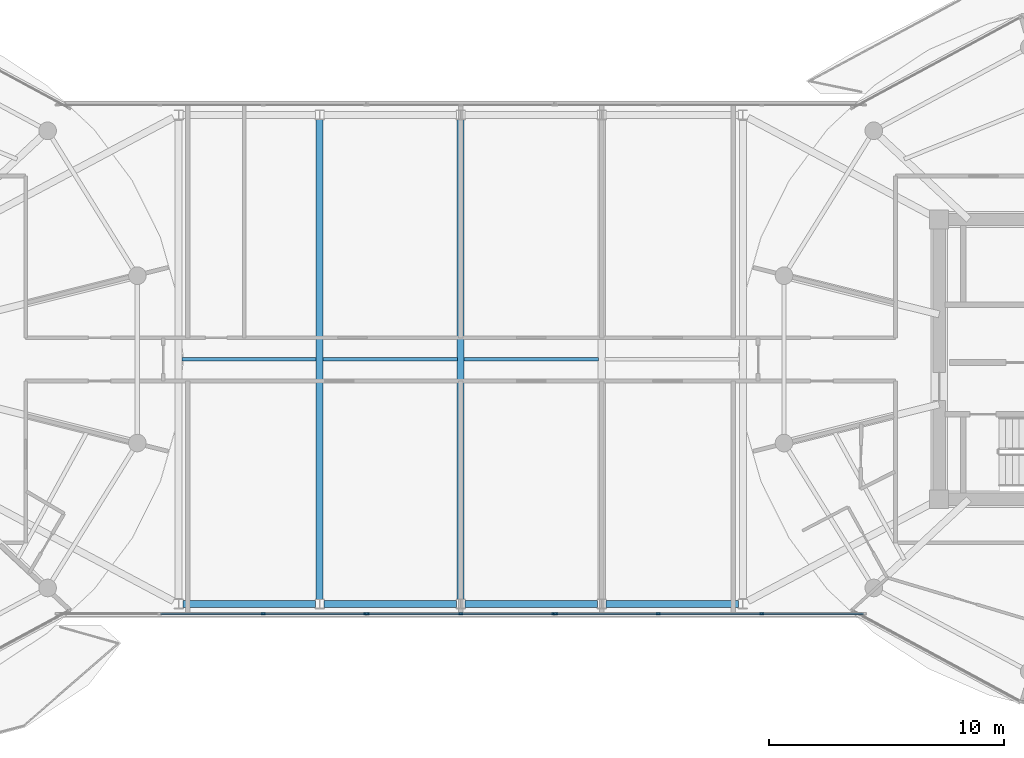
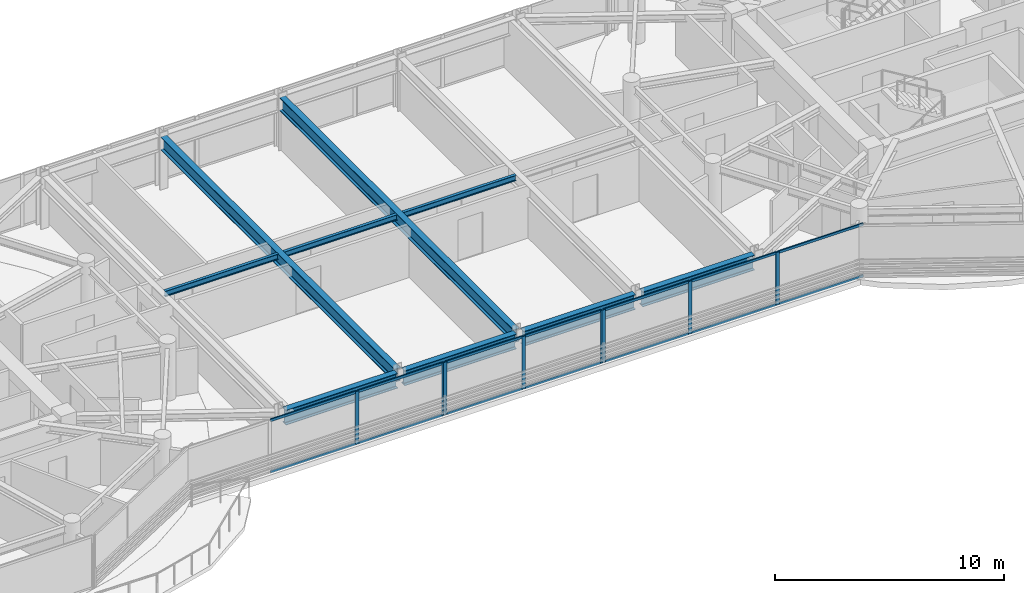
# One storey, part 6 of 23: 22 members, 9 beams, 3 elements without a shape of their own.
"""IFC4 building model written with IfcOpenShell, lengths in metres."""

from ifc_helpers import new_model, si_unit, direction, frame, origin, origin_2d, place, context, subcontext, project, spatial, rectangle, i_section, extrude, source, transform, mapped, material, layer, layer_set, material_profile, profile_set, type_object, type_shapes, element, aggregate, save


model = new_model("IFC4")

# Units and contexts
model_context = context("Model", 3, precision=1e-05, world=origin(), true_north=direction((0.0, 1.0)))
body_context = subcontext(model_context, "Body", "Model", "MODEL_VIEW")
ifc_project = project(units=[si_unit("LENGTHUNIT", "METRE"), si_unit("AREAUNIT", "SQUARE_METRE"), si_unit("VOLUMEUNIT", "CUBIC_METRE"), si_unit("PLANEANGLEUNIT", "RADIAN"), si_unit("MASSUNIT", "GRAM", prefix="KILO")], contexts=[model_context])

# Site, building, storey
site_placement = place(None, origin())
site = spatial("IfcSite", under=ifc_project, at=site_placement, CompositionType="ELEMENT")
building_placement = place(site_placement, origin())
building = spatial("IfcBuilding", under=site, at=building_placement, Name="Norrkilde Senior Care Towers", CompositionType="ELEMENT")
storey_placement = place(building_placement, frame((0.0, 0.0, 229.14990234375)))
storey = spatial("IfcBuildingStorey", under=building, at=storey_placement, Name="L71", CompositionType="ELEMENT", Elevation=229.14990234375)

# Beams
ifc_material_1 = material(Name="Steel S355", Category="steel")
ifc_material_profile_1 = material_profile(ifc_material_1, i_section(OverallWidth=0.300048828125, OverallDepth=0.699951171875, WebThickness=0.01708984375, FlangeThickness=0.031982421875, FilletRadius=0.027099609375, at=origin_2d()), Name="HEB 700")
ifc_profile_set_1 = profile_set([ifc_material_profile_1], Name="Steel S355")
beam_type_1 = type_object("IfcBeamType", Name="Bridge Cross Girder HEB700", PredefinedType="USERDEFINED", material=ifc_profile_set_1)
shared_shape_1 = source(origin(), body_context, "Body", "SweptSolid", [
    extrude(i_section(OverallWidth=0.300048828125, OverallDepth=0.699951171875, WebThickness=0.01708984375, FlangeThickness=0.031982421875, FilletRadius=0.027099609375, at=origin_2d()), origin(), (0.0, 0.0, 1.0), 20.43994140625),
])
type_shapes(beam_type_1, [shared_shape_1])
for number, where, z_axis, x_axis, name in (
    (1, (-6.0, -10.219970703125, 2.460205078125), (0.0, 1.0, 0.0), (-1.0, 0.0, 0.0), "L71 Sky-Gate Bridge Cross Girder -6"),
    (2, (0.0, -10.219970703125, 2.460205078125), (0.0, 1.0, 0.0), (-1.0, 0.0, 0.0), "L71 Sky-Gate Bridge Cross Girder +0"),
):
    element("IfcBeam", number, at=place(storey_placement, frame(where, z_axis=z_axis, x_axis=x_axis)), inside=storey, type_object=beam_type_1, Name=name, ObjectType="GIRDER", PredefinedType="USERDEFINED", context=body_context, shape_type="MappedRepresentation", body=[
        mapped(shared_shape_1, transform((0.0, 0.0, 0.0), x_axis=(1.0, 0.0, 0.0), y_axis=(0.0, 1.0, 0.0), z_axis=(0.0, 0.0, 1.0), scale=1.0)),
    ])
ifc_material_profile_2 = material_profile(ifc_material_1, i_section(OverallWidth=0.300048828125, OverallDepth=0.800048828125, WebThickness=0.017578125, FlangeThickness=0.032958984375, FilletRadius=0.030029296875, at=origin_2d()), Name="HEB 800")
ifc_profile_set_2 = profile_set([ifc_material_profile_2], Name="Steel S355")
beam_type_2 = type_object("IfcBeamType", Name="Bridge Floor Girder HEB800", PredefinedType="USERDEFINED", material=ifc_profile_set_2)
shared_shape_2 = source(origin(), body_context, "Body", "SweptSolid", [
    extrude(i_section(OverallWidth=0.300048828125, OverallDepth=0.800048828125, WebThickness=0.017578125, FlangeThickness=0.032958984375, FilletRadius=0.030029296875, at=origin_2d()), origin(), (0.0, 0.0, 1.0), 5.64013671875),
])
type_shapes(beam_type_2, [shared_shape_2])
for number, where, z_axis, x_axis, name in (
    (3, (-11.820068359375, -10.39990234375, 2.41015625), (1.0, 0.0, 0.0), (0.0, 1.0, 0.0), "L71 Sky-Gate Bridge Girder S2"),
    (4, (-5.820068359375, -10.39990234375, 2.41015625), (1.0, 0.0, 0.0), (0.0, 1.0, 0.0), "L71 Sky-Gate Bridge Girder S3"),
    (5, (0.179931640625, -10.39990234375, 2.41015625), (1.0, 0.0, 0.0), (0.0, 1.0, 0.0), "L71 Sky-Gate Bridge Girder S4"),
    (6, (6.179931640625, -10.39990234375, 2.41015625), (1.0, 0.0, 0.0), (0.0, 1.0, 0.0), "L71 Sky-Gate Bridge Girder S5"),
):
    element("IfcBeam", number, at=place(storey_placement, frame(where, z_axis=z_axis, x_axis=x_axis)), inside=storey, type_object=beam_type_2, Name=name, ObjectType="GIRDER", PredefinedType="USERDEFINED", context=body_context, shape_type="MappedRepresentation", body=[
        mapped(shared_shape_2, transform((0.0, 0.0, 0.0), x_axis=(1.0, 0.0, 0.0), y_axis=(0.0, 1.0, 0.0), z_axis=(0.0, 0.0, 1.0), scale=1.0)),
    ])
ifc_material_profile_3 = material_profile(ifc_material_1, i_section(OverallWidth=0.14990234375, OverallDepth=0.300048828125, WebThickness=0.007080078125, FlangeThickness=0.0107421875, FilletRadius=0.014892578125, at=origin_2d()), Name="IPE 300")
ifc_profile_set_3 = profile_set([ifc_material_profile_3], Name="Steel S355")
beam_type_3 = type_object("IfcBeamType", Name="Bridge Deck Joist IPE300", PredefinedType="JOIST", material=ifc_profile_set_3)
shared_shape_3 = source(origin(), body_context, "Body", "SweptSolid", [
    extrude(i_section(OverallWidth=0.14990234375, OverallDepth=0.300048828125, WebThickness=0.007080078125, FlangeThickness=0.0107421875, FilletRadius=0.014892578125, at=origin_2d()), origin(), (0.0, 0.0, 1.0), 5.7099609375),
])
type_shapes(beam_type_3, [shared_shape_3])
for number, where, z_axis, x_axis, name in (
    (7, (-11.85498046875, 0.0, 2.66015625), (1.0, 0.0, 0.0), (0.0, 1.0, 0.0), "L71 Bridge Deck Joist 1"),
    (8, (-5.85498046875, 0.0, 2.66015625), (1.0, 0.0, 0.0), (0.0, 1.0, 0.0), "L71 Bridge Deck Joist 2"),
    (9, (0.14501953125, 0.0, 2.66015625), (1.0, 0.0, 0.0), (0.0, 1.0, 0.0), "L71 Bridge Deck Joist 3"),
):
    element("IfcBeam", number, at=place(storey_placement, frame(where, z_axis=z_axis, x_axis=x_axis)), inside=storey, type_object=beam_type_3, Name=name, PredefinedType="JOIST", context=body_context, shape_type="MappedRepresentation", body=[
        mapped(shared_shape_3, transform((0.0, 0.0, 0.0), x_axis=(1.0, 0.0, 0.0), y_axis=(0.0, 1.0, 0.0), z_axis=(0.0, 0.0, 1.0), scale=1.0)),
    ])

# Curtain wall, members
ifc_material_2 = material(Name="Triple Low-E Insulated Glazing", Category="glass")
ifc_layer = layer(ifc_material_2, 0.2099609375)
ifc_layer_set = layer_set([ifc_layer], Name="Triple Low-E Insulated Glazing")
curtain_wall_type = type_object("IfcCurtainWallType", Name="CW5 Sky-Gate Bridge Curtain Wall", PredefinedType="NOTDEFINED", material=ifc_layer_set)
curtain_wall_1_placement = place(storey_placement, origin())
curtain_wall_1 = element("IfcCurtainWall", 10, at=curtain_wall_1_placement, inside=storey, type_object=curtain_wall_type, Name="L71 Sky-Gate Bridge South Curtain Wall 1", PredefinedType="NOTDEFINED")
ifc_material_3 = material(Name="Anodised Aluminium", Category="aluminium")
ifc_material_profile_4 = material_profile(ifc_material_3, rectangle(XDim=0.06494140625, YDim=0.1298828125, at=origin_2d()), Name="ALU TRAN 65x130")
ifc_profile_set_4 = profile_set([ifc_material_profile_4], Name="Anodised Aluminium")
member_type_1 = type_object("IfcMemberType", Name="Curtain Wall Transom Heavy 65x130", PredefinedType="USERDEFINED", material=ifc_profile_set_4)
shared_shape_4 = source(origin(), body_context, "Body", "SweptSolid", [
    extrude(rectangle(XDim=0.06494140625, YDim=0.1298828125, at=origin_2d()), origin(), (0.0, 0.0, 1.0), 4.294921875),
])
member_1_placement = place(storey_placement, frame((17.1298828125, -10.820068359375, 0.03271484375), z_axis=(-1.0, 0.0, 0.0), x_axis=(0.0, -1.0, 0.0)))
member_1 = element("IfcMember", 11, at=member_1_placement, type_object=member_type_1, Name="CW-5 transom 1.1", ObjectType="TRANSOM", PredefinedType="USERDEFINED", context=body_context, shape_type="MappedRepresentation", body=[
    mapped(shared_shape_4, transform((0.0, 0.0, 0.0), x_axis=(1.0, 0.0, 0.0), y_axis=(0.0, 1.0, 0.0), z_axis=(0.0, 0.0, 1.0), scale=1.0)),
])
member_2_placement = place(storey_placement, frame((17.1298828125, -10.820068359375, 2.777587890625), z_axis=(-1.0, 0.0, 0.0), x_axis=(0.0, -1.0, 0.0)))
member_2 = element("IfcMember", 12, at=member_2_placement, type_object=member_type_1, Name="CW-5 transom 1.2", ObjectType="TRANSOM", PredefinedType="USERDEFINED", context=body_context, shape_type="MappedRepresentation", body=[
    mapped(shared_shape_4, transform((0.0, 0.0, 0.0), x_axis=(1.0, 0.0, 0.0), y_axis=(0.0, 1.0, 0.0), z_axis=(0.0, 0.0, 1.0), scale=1.0)),
])
member_3_placement = place(storey_placement, frame((8.364990234375, -10.820068359375, 0.03271484375), z_axis=(-1.0, 0.0, 0.0), x_axis=(0.0, -1.0, 0.0)))
member_3 = element("IfcMember", 13, at=member_3_placement, type_object=member_type_1, Name="CW-5 transom 3.1", ObjectType="TRANSOM", PredefinedType="USERDEFINED", context=body_context, shape_type="MappedRepresentation", body=[
    mapped(shared_shape_4, transform((0.0, 0.0, 0.0), x_axis=(1.0, 0.0, 0.0), y_axis=(0.0, 1.0, 0.0), z_axis=(0.0, 0.0, 1.0), scale=1.0)),
])
member_4_placement = place(storey_placement, frame((8.364990234375, -10.820068359375, 2.777587890625), z_axis=(-1.0, 0.0, 0.0), x_axis=(0.0, -1.0, 0.0)))
member_4 = element("IfcMember", 14, at=member_4_placement, type_object=member_type_1, Name="CW-5 transom 3.2", ObjectType="TRANSOM", PredefinedType="USERDEFINED", context=body_context, shape_type="MappedRepresentation", body=[
    mapped(shared_shape_4, transform((0.0, 0.0, 0.0), x_axis=(1.0, 0.0, 0.0), y_axis=(0.0, 1.0, 0.0), z_axis=(0.0, 0.0, 1.0), scale=1.0)),
])

curtain_wall_2_placement = place(storey_placement, origin())
curtain_wall_2 = element("IfcCurtainWall", 15, at=curtain_wall_2_placement, inside=storey, type_object=curtain_wall_type, Name="L71 Sky-Gate Bridge South Curtain Wall 3", PredefinedType="NOTDEFINED")
member_5_placement = place(storey_placement, frame((-4.070068359375, -10.820068359375, 0.03271484375), z_axis=(-1.0, 0.0, 0.0), x_axis=(0.0, -1.0, 0.0)))
member_5 = element("IfcMember", 16, at=member_5_placement, type_object=member_type_1, Name="CW-5 transom 1.1", ObjectType="TRANSOM", PredefinedType="USERDEFINED", context=body_context, shape_type="MappedRepresentation", body=[
    mapped(shared_shape_4, transform((0.0, 0.0, 0.0), x_axis=(1.0, 0.0, 0.0), y_axis=(0.0, 1.0, 0.0), z_axis=(0.0, 0.0, 1.0), scale=1.0)),
])
member_6_placement = place(storey_placement, frame((-4.070068359375, -10.820068359375, 2.777587890625), z_axis=(-1.0, 0.0, 0.0), x_axis=(0.0, -1.0, 0.0)))
member_6 = element("IfcMember", 17, at=member_6_placement, type_object=member_type_1, Name="CW-5 transom 1.2", ObjectType="TRANSOM", PredefinedType="USERDEFINED", context=body_context, shape_type="MappedRepresentation", body=[
    mapped(shared_shape_4, transform((0.0, 0.0, 0.0), x_axis=(1.0, 0.0, 0.0), y_axis=(0.0, 1.0, 0.0), z_axis=(0.0, 0.0, 1.0), scale=1.0)),
])

# Member
shared_shape_5 = source(origin(), body_context, "Body", "SweptSolid", [
    extrude(rectangle(XDim=0.06494140625, YDim=0.1298828125, at=origin_2d()), origin(), (0.0, 0.0, 1.0), 4.329833984375),
])
member_7_placement = place(storey_placement, frame((12.764892578125, -10.820068359375, 0.03271484375), z_axis=(-1.0, 0.0, 0.0), x_axis=(0.0, -1.0, 0.0)))
member_7 = element("IfcMember", 18, at=member_7_placement, type_object=member_type_1, Name="CW-5 transom 2.1", ObjectType="TRANSOM", PredefinedType="USERDEFINED", context=body_context, shape_type="MappedRepresentation", body=[
    mapped(shared_shape_5, transform((0.0, 0.0, 0.0), x_axis=(1.0, 0.0, 0.0), y_axis=(0.0, 1.0, 0.0), z_axis=(0.0, 0.0, 1.0), scale=1.0)),
])

member_8_placement = place(storey_placement, frame((12.764892578125, -10.820068359375, 2.777587890625), z_axis=(-1.0, 0.0, 0.0), x_axis=(0.0, -1.0, 0.0)))
member_8 = element("IfcMember", 19, at=member_8_placement, type_object=member_type_1, Name="CW-5 transom 2.2", ObjectType="TRANSOM", PredefinedType="USERDEFINED", context=body_context, shape_type="MappedRepresentation", body=[
    mapped(shared_shape_5, transform((0.0, 0.0, 0.0), x_axis=(1.0, 0.0, 0.0), y_axis=(0.0, 1.0, 0.0), z_axis=(0.0, 0.0, 1.0), scale=1.0)),
])

member_9_placement = place(storey_placement, frame((-8.43505859375, -10.820068359375, 0.03271484375), z_axis=(-1.0, 0.0, 0.0), x_axis=(0.0, -1.0, 0.0)))
member_9 = element("IfcMember", 20, at=member_9_placement, type_object=member_type_1, Name="CW-5 transom 2.1", ObjectType="TRANSOM", PredefinedType="USERDEFINED", context=body_context, shape_type="MappedRepresentation", body=[
    mapped(shared_shape_5, transform((0.0, 0.0, 0.0), x_axis=(1.0, 0.0, 0.0), y_axis=(0.0, 1.0, 0.0), z_axis=(0.0, 0.0, 1.0), scale=1.0)),
])

member_10_placement = place(storey_placement, frame((-8.43505859375, -10.820068359375, 2.777587890625), z_axis=(-1.0, 0.0, 0.0), x_axis=(0.0, -1.0, 0.0)))
member_10 = element("IfcMember", 21, at=member_10_placement, type_object=member_type_1, Name="CW-5 transom 2.2", ObjectType="TRANSOM", PredefinedType="USERDEFINED", context=body_context, shape_type="MappedRepresentation", body=[
    mapped(shared_shape_5, transform((0.0, 0.0, 0.0), x_axis=(1.0, 0.0, 0.0), y_axis=(0.0, 1.0, 0.0), z_axis=(0.0, 0.0, 1.0), scale=1.0)),
])

# Curtain wall, members
curtain_wall_3_placement = place(storey_placement, origin())
curtain_wall_3 = element("IfcCurtainWall", 22, at=curtain_wall_3_placement, inside=storey, type_object=curtain_wall_type, Name="L71 Sky-Gate Bridge South Curtain Wall 2", PredefinedType="NOTDEFINED")
shared_shape_6 = source(origin(), body_context, "Body", "SweptSolid", [
    extrude(rectangle(XDim=0.06494140625, YDim=0.1298828125, at=origin_2d()), origin(), (0.0, 0.0, 1.0), 3.89501953125),
])
type_shapes(member_type_1, [shared_shape_4, shared_shape_5, shared_shape_6])
member_11_placement = place(storey_placement, frame((3.929931640625, -10.820068359375, 0.03271484375), z_axis=(-1.0, 0.0, 0.0), x_axis=(0.0, -1.0, 0.0)))
member_11 = element("IfcMember", 23, at=member_11_placement, type_object=member_type_1, Name="CW-5 transom 1.1", ObjectType="TRANSOM", PredefinedType="USERDEFINED", context=body_context, shape_type="MappedRepresentation", body=[
    mapped(shared_shape_6, transform((0.0, 0.0, 0.0), x_axis=(1.0, 0.0, 0.0), y_axis=(0.0, 1.0, 0.0), z_axis=(0.0, 0.0, 1.0), scale=1.0)),
])
member_12_placement = place(storey_placement, frame((3.929931640625, -10.820068359375, 2.777587890625), z_axis=(-1.0, 0.0, 0.0), x_axis=(0.0, -1.0, 0.0)))
member_12 = element("IfcMember", 24, at=member_12_placement, type_object=member_type_1, Name="CW-5 transom 1.2", ObjectType="TRANSOM", PredefinedType="USERDEFINED", context=body_context, shape_type="MappedRepresentation", body=[
    mapped(shared_shape_6, transform((0.0, 0.0, 0.0), x_axis=(1.0, 0.0, 0.0), y_axis=(0.0, 1.0, 0.0), z_axis=(0.0, 0.0, 1.0), scale=1.0)),
])
member_13_placement = place(storey_placement, frame((-0.034912109375, -10.820068359375, 0.03271484375), z_axis=(-1.0, 0.0, 0.0), x_axis=(0.0, -1.0, 0.0)))
member_13 = element("IfcMember", 25, at=member_13_placement, type_object=member_type_1, Name="CW-5 transom 2.1", ObjectType="TRANSOM", PredefinedType="USERDEFINED", context=body_context, shape_type="MappedRepresentation", body=[
    mapped(shared_shape_6, transform((0.0, 0.0, 0.0), x_axis=(1.0, 0.0, 0.0), y_axis=(0.0, 1.0, 0.0), z_axis=(0.0, 0.0, 1.0), scale=1.0)),
])
member_14_placement = place(storey_placement, frame((-0.034912109375, -10.820068359375, 2.777587890625), z_axis=(-1.0, 0.0, 0.0), x_axis=(0.0, -1.0, 0.0)))
member_14 = element("IfcMember", 26, at=member_14_placement, type_object=member_type_1, Name="CW-5 transom 2.2", ObjectType="TRANSOM", PredefinedType="USERDEFINED", context=body_context, shape_type="MappedRepresentation", body=[
    mapped(shared_shape_6, transform((0.0, 0.0, 0.0), x_axis=(1.0, 0.0, 0.0), y_axis=(0.0, 1.0, 0.0), z_axis=(0.0, 0.0, 1.0), scale=1.0)),
])

# Member
ifc_material_profile_5 = material_profile(ifc_material_3, rectangle(XDim=0.070068359375, YDim=0.169921875, at=origin_2d()), Name="ALU MULL 70x170")
ifc_profile_set_5 = profile_set([ifc_material_profile_5], Name="Anodised Aluminium")
member_type_2 = type_object("IfcMemberType", Name="Curtain Wall Mullion Heavy 70x170", PredefinedType="MULLION", material=ifc_profile_set_5)
shared_shape_7 = source(origin(), body_context, "Body", "SweptSolid", [
    extrude(rectangle(XDim=0.070068359375, YDim=0.169921875, at=origin_2d()), origin(), (0.0, 0.0, 1.0), 2.81005859375),
])
type_shapes(member_type_2, [shared_shape_7])
member_15_placement = place(storey_placement, frame((12.800048828125, -10.820068359375, 0.0), z_axis=(0.0, 0.0, 1.0), x_axis=(0.0, -1.0, 0.0)))
member_15 = element("IfcMember", 27, at=member_15_placement, type_object=member_type_2, Name="CW-5 mullion 2", PredefinedType="MULLION", context=body_context, shape_type="MappedRepresentation", body=[
    mapped(shared_shape_7, transform((0.0, 0.0, 0.0), x_axis=(1.0, 0.0, 0.0), y_axis=(0.0, 1.0, 0.0), z_axis=(0.0, 0.0, 1.0), scale=1.0)),
])

member_16_placement = place(storey_placement, frame((8.39990234375, -10.820068359375, 0.0), z_axis=(0.0, 0.0, 1.0), x_axis=(0.0, -1.0, 0.0)))
member_16 = element("IfcMember", 28, at=member_16_placement, type_object=member_type_2, Name="CW-5 mullion 3", PredefinedType="MULLION", context=body_context, shape_type="MappedRepresentation", body=[
    mapped(shared_shape_7, transform((0.0, 0.0, 0.0), x_axis=(1.0, 0.0, 0.0), y_axis=(0.0, 1.0, 0.0), z_axis=(0.0, 0.0, 1.0), scale=1.0)),
])

member_17_placement = place(storey_placement, frame((4.034912109375, -10.820068359375, 0.0), z_axis=(0.0, 0.0, 1.0), x_axis=(0.0, -1.0, 0.0)))
member_17 = element("IfcMember", 29, at=member_17_placement, type_object=member_type_2, Name="CW-5 mullion 4", PredefinedType="MULLION", context=body_context, shape_type="MappedRepresentation", body=[
    mapped(shared_shape_7, transform((0.0, 0.0, 0.0), x_axis=(1.0, 0.0, 0.0), y_axis=(0.0, 1.0, 0.0), z_axis=(0.0, 0.0, 1.0), scale=1.0)),
])

aggregate(curtain_wall_1, [member_15, member_16, member_17, member_1, member_2, member_7, member_8, member_3, member_4])

member_18_placement = place(storey_placement, frame((3.965087890625, -10.820068359375, 0.0), z_axis=(0.0, 0.0, 1.0), x_axis=(0.0, -1.0, 0.0)))
member_18 = element("IfcMember", 30, at=member_18_placement, type_object=member_type_2, Name="CW-5 mullion 1", PredefinedType="MULLION", context=body_context, shape_type="MappedRepresentation", body=[
    mapped(shared_shape_7, transform((0.0, 0.0, 0.0), x_axis=(1.0, 0.0, 0.0), y_axis=(0.0, 1.0, 0.0), z_axis=(0.0, 0.0, 1.0), scale=1.0)),
])

member_19_placement = place(storey_placement, frame((0.0, -10.820068359375, 0.0), z_axis=(0.0, 0.0, 1.0), x_axis=(0.0, -1.0, 0.0)))
member_19 = element("IfcMember", 31, at=member_19_placement, type_object=member_type_2, Name="CW-5 mullion 2", PredefinedType="MULLION", context=body_context, shape_type="MappedRepresentation", body=[
    mapped(shared_shape_7, transform((0.0, 0.0, 0.0), x_axis=(1.0, 0.0, 0.0), y_axis=(0.0, 1.0, 0.0), z_axis=(0.0, 0.0, 1.0), scale=1.0)),
])

member_20_placement = place(storey_placement, frame((-3.965087890625, -10.820068359375, 0.0), z_axis=(0.0, 0.0, 1.0), x_axis=(0.0, -1.0, 0.0)))
member_20 = element("IfcMember", 32, at=member_20_placement, type_object=member_type_2, Name="CW-5 mullion 3", PredefinedType="MULLION", context=body_context, shape_type="MappedRepresentation", body=[
    mapped(shared_shape_7, transform((0.0, 0.0, 0.0), x_axis=(1.0, 0.0, 0.0), y_axis=(0.0, 1.0, 0.0), z_axis=(0.0, 0.0, 1.0), scale=1.0)),
])

aggregate(curtain_wall_3, [member_18, member_19, member_20, member_11, member_12, member_13, member_14])

member_21_placement = place(storey_placement, frame((-4.034912109375, -10.820068359375, 0.0), z_axis=(0.0, 0.0, 1.0), x_axis=(0.0, -1.0, 0.0)))
member_21 = element("IfcMember", 33, at=member_21_placement, type_object=member_type_2, Name="CW-5 mullion 1", PredefinedType="MULLION", context=body_context, shape_type="MappedRepresentation", body=[
    mapped(shared_shape_7, transform((0.0, 0.0, 0.0), x_axis=(1.0, 0.0, 0.0), y_axis=(0.0, 1.0, 0.0), z_axis=(0.0, 0.0, 1.0), scale=1.0)),
])

member_22_placement = place(storey_placement, frame((-8.39990234375, -10.820068359375, 0.0), z_axis=(0.0, 0.0, 1.0), x_axis=(0.0, -1.0, 0.0)))
member_22 = element("IfcMember", 34, at=member_22_placement, type_object=member_type_2, Name="CW-5 mullion 2", PredefinedType="MULLION", context=body_context, shape_type="MappedRepresentation", body=[
    mapped(shared_shape_7, transform((0.0, 0.0, 0.0), x_axis=(1.0, 0.0, 0.0), y_axis=(0.0, 1.0, 0.0), z_axis=(0.0, 0.0, 1.0), scale=1.0)),
])

aggregate(curtain_wall_2, [member_21, member_22, member_5, member_6, member_9, member_10])

save(model, "model.ifc")
